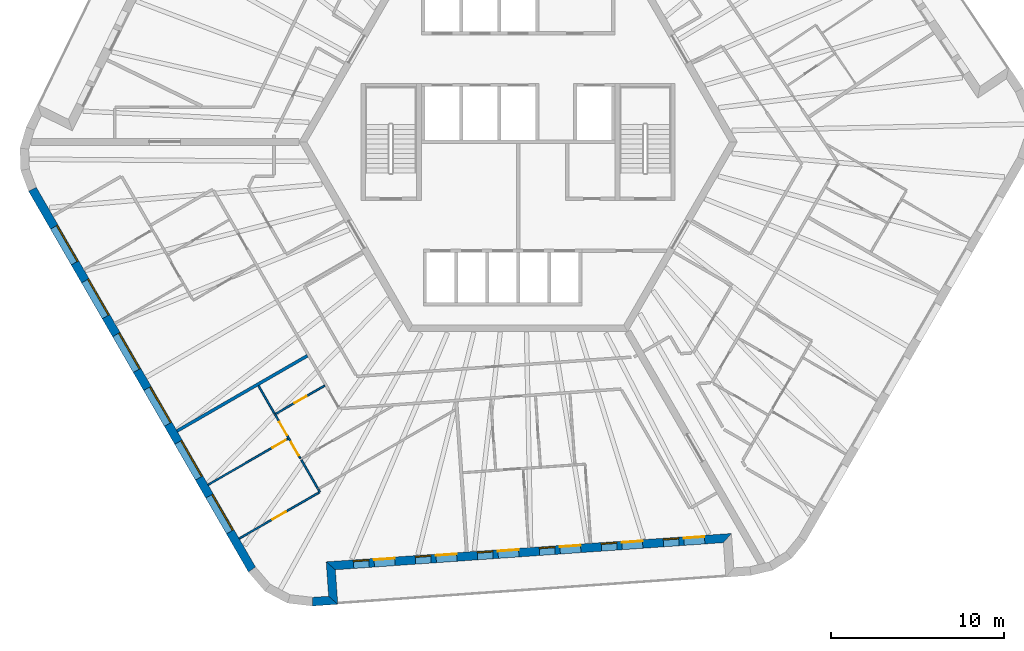
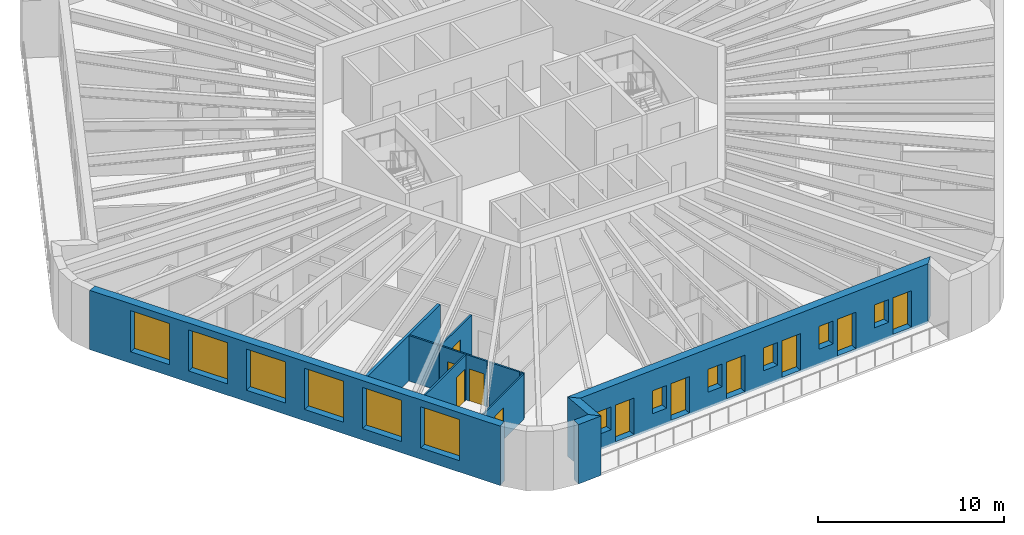
# One storey, part 3 of 12: 12 walls, 12 windows, 11 doors, 23 openings.
"""IFC4 building model written with IfcOpenShell, lengths in metres."""

from ifc_helpers import new_model, si_unit, direction, frame, frame_2d, origin, place, context, subcontext, project, spatial, polyline, rectangle, outline, extrude, material, layer, layer_set, type_object, element, fill, save


model = new_model("IFC4")

# Units and contexts
model_context = context("Model", 3, precision=1e-05, world=origin(), true_north=direction((0.0, 1.0)))
body_context = subcontext(model_context, "Body", "Model", "MODEL_VIEW")
ifc_project = project(units=[si_unit("LENGTHUNIT", "METRE"), si_unit("AREAUNIT", "SQUARE_METRE"), si_unit("VOLUMEUNIT", "CUBIC_METRE"), si_unit("PLANEANGLEUNIT", "RADIAN"), si_unit("MASSUNIT", "GRAM", prefix="KILO")], contexts=[model_context])

# Site, building, storey
site_placement = place(None, origin())
site = spatial("IfcSite", under=ifc_project, at=site_placement, CompositionType="ELEMENT")
building_placement = place(site_placement, origin())
building = spatial("IfcBuilding", under=site, at=building_placement, Name="Tarnside Tower", CompositionType="ELEMENT")
storey_placement = place(building_placement, frame((0.0, 0.0, 318.60009765625)))
storey = spatial("IfcBuildingStorey", under=building, at=storey_placement, Name="L77", CompositionType="ELEMENT", Elevation=318.60009765625)

# Wall, opening, door
ifc_material_1 = material(Name="Gypsum board partition on steel studs", Category="steel")
ifc_layer_1 = layer(ifc_material_1, 0.10009765625)
ifc_layer_set_1 = layer_set([ifc_layer_1], Name="Bathroom wall 100")
wall_type_1 = type_object("IfcWallType", Name="Bathroom wall 100", PredefinedType="PARTITIONING", material=ifc_layer_set_1)
wall_1_placement = place(storey_placement, frame((-11.215087890625, -14.124755859375, 0.0), z_axis=(0.0, 0.0, 1.0), x_axis=(-0.866020521143, -0.500008456887, 0.0)))
wall_1 = element("IfcWall", 1, at=wall_1_placement, inside=storey, type_object=wall_type_1, Name="Bathroom wall 25128", PredefinedType="PARTITIONING", context=body_context, shape_type="SweptSolid", body=[
    extrude(rectangle(XDim=3.3251953125, YDim=0.10009765625, at=frame_2d((1.66259765625, 0.0))), origin(), (0.0, 0.0, 1.0), 2.98779296875),
])
opening_1_placement = place(wall_1_placement, frame((1.22509765625, 0.0, 0.0)))
opening_1 = element("IfcOpeningElement", 2, at=opening_1_placement, cuts=wall_1, Name="Opening D-B1", PredefinedType="OPENING", context=body_context, shape_type="SweptSolid", body=[
    extrude(rectangle(XDim=0.800048828125, YDim=2.10009765625, at=frame_2d((0.39990234375, 1.050048828125))), frame((0.0, 0.06005859375, 0.0), z_axis=(0.0, -1.0, 0.0), x_axis=(1.0, 0.0, 0.0)), (0.0, 0.0, 1.0), 0.1201171875),
])
ifc_material_2 = material(Name="Timber door leaf", Category="wood")
door_type_1 = type_object("IfcDoorType", Name="Bathroom door 800", OperationType="NOTDEFINED", PredefinedType="DOOR", material=ifc_material_2)
door_1_placement = place(opening_1_placement, origin())
door_1 = element("IfcDoor", 3, at=door_1_placement, inside=storey, type_object=door_type_1, Name="Bathroom door 25030", OperationType="SINGLE_SWING_RIGHT", OverallHeight=2.10009765625, OverallWidth=0.800048828125, PredefinedType="DOOR", context=body_context, shape_type="SweptSolid", body=[
    extrude(rectangle(XDim=0.800048828125, YDim=2.10009765625, at=frame_2d((0.39990234375, 1.050048828125))), frame((0.0, 0.02490234375, 0.0), z_axis=(0.0, -1.0, 0.0), x_axis=(1.0, 0.0, 0.0)), (0.0, 0.0, 1.0), 0.050048828125),
])
fill(opening_1, door_1)

# Walls
wall_2_placement = place(storey_placement, frame((-15.0498046875, -14.133056640625, 0.0), z_axis=(0.0, 0.0, 1.0), x_axis=(0.500059143742, -0.865991254436, 0.0)))
element("IfcWall", 4, at=wall_2_placement, inside=storey, type_object=wall_type_1, Name="Bathroom wall 25132", PredefinedType="PARTITIONING", context=body_context, shape_type="SweptSolid", body=[
    extrude(rectangle(XDim=1.862060546875, YDim=0.10009765625, at=frame_2d((0.93115234375, 0.0))), origin(), (0.0, 0.0, 1.0), 2.98779296875),
])
wall_3_placement = place(storey_placement, frame((-11.61962890625, -20.073974609375, 0.0), z_axis=(0.0, 0.0, 1.0), x_axis=(-0.500119165741, 0.865956592479, 0.0)))
element("IfcWall", 5, at=wall_3_placement, inside=storey, type_object=wall_type_1, Name="Bathroom wall 25134", PredefinedType="PARTITIONING", context=body_context, shape_type="SweptSolid", body=[
    extrude(rectangle(XDim=1.89990234375, YDim=0.10009765625, at=frame_2d((0.949951171875, 0.0))), origin(), (0.0, 0.0, 1.0), 2.98779296875),
])
ifc_layer_2 = layer(ifc_material_1, 0.179931640625)
ifc_layer_set_2 = layer_set([ifc_layer_2], Name="Demising wall 180 EI 60")
wall_type_2 = type_object("IfcWallType", Name="Demising wall 180 EI 60", PredefinedType="PARTITIONING", material=ifc_layer_set_2)
wall_4_placement = place(storey_placement, frame((-19.771240234375, -16.755126953125, 0.0), z_axis=(0.0, 0.0, 1.0), x_axis=(0.866025292695, 0.500000192413, 0.0)))
element("IfcWall", 6, at=wall_4_placement, inside=storey, type_object=wall_type_2, Name="Demising wall 25116", PredefinedType="PARTITIONING", context=body_context, shape_type="SweptSolid", body=[
    extrude(rectangle(XDim=8.72509765625, YDim=0.179931640625, at=frame_2d((4.362548828125, 0.0))), origin(), (0.0, 0.0, 1.0), 2.98779296875),
])
ifc_material_3 = material(Name="Dark zinc cladding")
ifc_layer_3 = layer(ifc_material_3, 0.10205078125)
ifc_material_4 = material(Name="Concrete C60/75 precast", Category="concrete")
ifc_layer_4 = layer(ifc_material_4, 0.298095703125)
ifc_material_5 = material(Name="Mineral wool insulation")
ifc_layer_5 = layer(ifc_material_5, 0.10009765625)
ifc_layer_set_3 = layer_set([ifc_layer_3, ifc_layer_4, ifc_layer_5], Name="Loggia wall 500 zinc faced")
wall_type_3 = type_object("IfcWallType", Name="Loggia wall 500 zinc faced", PredefinedType="SOLIDWALL", material=ifc_layer_set_3)
wall_5_placement = place(storey_placement, frame((-11.91748046875, -26.646240234375, -0.150146484375), z_axis=(0.0, 0.0, 1.0), x_axis=(0.997562933087, 0.069772448216, 0.0)))
element("IfcWall", 7, at=wall_5_placement, inside=storey, type_object=wall_type_3, Name="Tube wall L77 F4 stub 16", PredefinedType="SOLIDWALL", context=body_context, shape_type="SweptSolid", body=[
    extrude(outline(polyline([(-0.0234375, -0.25), (1.4501953125, -0.25), (0.9501953125, 0.25), (0.0234375, 0.25), (-0.0234375, -0.25)])), origin(), (0.0, 0.0, 1.0), 3.900146484375),
])
wall_6_placement = place(storey_placement, frame((-10.72021484375, -26.5625, -0.150146484375), z_axis=(0.0, 0.0, 1.0), x_axis=(-0.069824268692, 0.99755930726, 0.0)))
element("IfcWall", 8, at=wall_6_placement, inside=storey, type_object=wall_type_3, Name="Tube wall L77 F4 return 17", PredefinedType="SOLIDWALL", context=body_context, shape_type="SweptSolid", body=[
    extrude(outline(polyline([(-0.25, -0.25), (1.75, -0.25), (2.25, 0.25), (0.25, 0.25), (-0.25, -0.25)])), origin(), (0.0, 0.0, 1.0), 3.900146484375),
])

# Wall, openings, doors, windows
wall_7_placement = place(storey_placement, frame((-10.85986328125, -24.5673828125, -0.150146484375), z_axis=(0.0, 0.0, 1.0), x_axis=(0.997564329317, 0.06975248292, 0.0)))
wall_7 = element("IfcWall", 9, at=wall_7_placement, inside=storey, type_object=wall_type_3, Name="Tube wall L77 F4 back 18", PredefinedType="SOLIDWALL", context=body_context, shape_type="SweptSolid", body=[
    extrude(outline(polyline([(0.25, -0.25), (22.794677734375, -0.25), (23.294677734375, 0.25), (-0.25, 0.25), (0.25, -0.25)])), origin(), (0.0, 0.0, 1.0), 3.900146484375),
])
opening_2_placement = place(wall_7_placement, frame((1.322509765625, 0.0, 1.050048828125)))
opening_2 = element("IfcOpeningElement", 10, at=opening_2_placement, cuts=wall_7, Name="Opening WL500", PredefinedType="OPENING", context=body_context, shape_type="SweptSolid", body=[
    extrude(rectangle(XDim=0.89990234375, YDim=1.5, at=frame_2d((0.449951171875, 0.75))), frame((0.0, 0.260009765625, 0.0), z_axis=(0.0, -1.0, 0.0), x_axis=(1.0, 0.0, 0.0)), (0.0, 0.0, 1.0), 0.52001953125),
])
opening_3_placement = place(wall_7_placement, frame((2.5224609375, 0.0, 0.14990234375)))
opening_3 = element("IfcOpeningElement", 11, at=opening_3_placement, cuts=wall_7, Name="Opening DB500", PredefinedType="OPENING", context=body_context, shape_type="SweptSolid", body=[
    extrude(rectangle(XDim=1.199951171875, YDim=2.39990234375, at=frame_2d((0.60009765625, 1.199951171875))), frame((0.0, 0.260009765625, 0.0), z_axis=(0.0, -1.0, 0.0), x_axis=(1.0, 0.0, 0.0)), (0.0, 0.0, 1.0), 0.52001953125),
])
opening_4_placement = place(wall_7_placement, frame((4.92236328125, 0.0, 1.050048828125)))
opening_4 = element("IfcOpeningElement", 12, at=opening_4_placement, cuts=wall_7, Name="Opening WL500", PredefinedType="OPENING", context=body_context, shape_type="SweptSolid", body=[
    extrude(rectangle(XDim=0.89990234375, YDim=1.5, at=frame_2d((0.449951171875, 0.75))), frame((0.0, 0.260009765625, 0.0), z_axis=(0.0, -1.0, 0.0), x_axis=(1.0, 0.0, 0.0)), (0.0, 0.0, 1.0), 0.52001953125),
])
opening_5_placement = place(wall_7_placement, frame((6.122314453125, 0.0, 0.14990234375)))
opening_5 = element("IfcOpeningElement", 13, at=opening_5_placement, cuts=wall_7, Name="Opening DB500", PredefinedType="OPENING", context=body_context, shape_type="SweptSolid", body=[
    extrude(rectangle(XDim=1.199951171875, YDim=2.39990234375, at=frame_2d((0.60009765625, 1.199951171875))), frame((0.0, 0.260009765625, 0.0), z_axis=(0.0, -1.0, 0.0), x_axis=(1.0, 0.0, 0.0)), (0.0, 0.0, 1.0), 0.52001953125),
])
opening_6_placement = place(wall_7_placement, frame((8.5224609375, 0.0, 1.050048828125)))
opening_6 = element("IfcOpeningElement", 14, at=opening_6_placement, cuts=wall_7, Name="Opening WL500", PredefinedType="OPENING", context=body_context, shape_type="SweptSolid", body=[
    extrude(rectangle(XDim=0.89990234375, YDim=1.5, at=frame_2d((0.449951171875, 0.75))), frame((0.0, 0.260009765625, 0.0), z_axis=(0.0, -1.0, 0.0), x_axis=(1.0, 0.0, 0.0)), (0.0, 0.0, 1.0), 0.52001953125),
])
opening_7_placement = place(wall_7_placement, frame((9.722412109375, 0.0, 0.14990234375)))
opening_7 = element("IfcOpeningElement", 15, at=opening_7_placement, cuts=wall_7, Name="Opening DB500", PredefinedType="OPENING", context=body_context, shape_type="SweptSolid", body=[
    extrude(rectangle(XDim=1.199951171875, YDim=2.39990234375, at=frame_2d((0.60009765625, 1.199951171875))), frame((0.0, 0.260009765625, 0.0), z_axis=(0.0, -1.0, 0.0), x_axis=(1.0, 0.0, 0.0)), (0.0, 0.0, 1.0), 0.52001953125),
])
opening_8_placement = place(wall_7_placement, frame((12.122314453125, 0.0, 1.050048828125)))
opening_8 = element("IfcOpeningElement", 16, at=opening_8_placement, cuts=wall_7, Name="Opening WL500", PredefinedType="OPENING", context=body_context, shape_type="SweptSolid", body=[
    extrude(rectangle(XDim=0.89990234375, YDim=1.5, at=frame_2d((0.449951171875, 0.75))), frame((0.0, 0.260009765625, 0.0), z_axis=(0.0, -1.0, 0.0), x_axis=(1.0, 0.0, 0.0)), (0.0, 0.0, 1.0), 0.52001953125),
])
opening_9_placement = place(wall_7_placement, frame((13.322509765625, 0.0, 0.14990234375)))
opening_9 = element("IfcOpeningElement", 17, at=opening_9_placement, cuts=wall_7, Name="Opening DB500", PredefinedType="OPENING", context=body_context, shape_type="SweptSolid", body=[
    extrude(rectangle(XDim=1.199951171875, YDim=2.39990234375, at=frame_2d((0.60009765625, 1.199951171875))), frame((0.0, 0.260009765625, 0.0), z_axis=(0.0, -1.0, 0.0), x_axis=(1.0, 0.0, 0.0)), (0.0, 0.0, 1.0), 0.52001953125),
])
opening_10_placement = place(wall_7_placement, frame((15.722412109375, 0.0, 1.050048828125)))
opening_10 = element("IfcOpeningElement", 18, at=opening_10_placement, cuts=wall_7, Name="Opening WL500", PredefinedType="OPENING", context=body_context, shape_type="SweptSolid", body=[
    extrude(rectangle(XDim=0.89990234375, YDim=1.5, at=frame_2d((0.449951171875, 0.75))), frame((0.0, 0.260009765625, 0.0), z_axis=(0.0, -1.0, 0.0), x_axis=(1.0, 0.0, 0.0)), (0.0, 0.0, 1.0), 0.52001953125),
])
opening_11_placement = place(wall_7_placement, frame((16.92236328125, 0.0, 0.14990234375)))
opening_11 = element("IfcOpeningElement", 19, at=opening_11_placement, cuts=wall_7, Name="Opening DB500", PredefinedType="OPENING", context=body_context, shape_type="SweptSolid", body=[
    extrude(rectangle(XDim=1.199951171875, YDim=2.39990234375, at=frame_2d((0.60009765625, 1.199951171875))), frame((0.0, 0.260009765625, 0.0), z_axis=(0.0, -1.0, 0.0), x_axis=(1.0, 0.0, 0.0)), (0.0, 0.0, 1.0), 0.52001953125),
])
opening_12_placement = place(wall_7_placement, frame((19.322509765625, 0.0, 1.050048828125)))
opening_12 = element("IfcOpeningElement", 20, at=opening_12_placement, cuts=wall_7, Name="Opening WL500", PredefinedType="OPENING", context=body_context, shape_type="SweptSolid", body=[
    extrude(rectangle(XDim=0.89990234375, YDim=1.5, at=frame_2d((0.449951171875, 0.75))), frame((0.0, 0.260009765625, 0.0), z_axis=(0.0, -1.0, 0.0), x_axis=(1.0, 0.0, 0.0)), (0.0, 0.0, 1.0), 0.52001953125),
])
opening_13_placement = place(wall_7_placement, frame((20.5224609375, 0.0, 0.14990234375)))
opening_13 = element("IfcOpeningElement", 21, at=opening_13_placement, cuts=wall_7, Name="Opening DB500", PredefinedType="OPENING", context=body_context, shape_type="SweptSolid", body=[
    extrude(rectangle(XDim=1.199951171875, YDim=2.39990234375, at=frame_2d((0.60009765625, 1.199951171875))), frame((0.0, 0.260009765625, 0.0), z_axis=(0.0, -1.0, 0.0), x_axis=(1.0, 0.0, 0.0)), (0.0, 0.0, 1.0), 0.52001953125),
])
ifc_material_6 = material(Name="Aluminium-framed double glazing", Category="aluminium")
door_type_2 = type_object("IfcDoorType", Name="Balcony sliding door 1200 x 2400 in 500 wall", OperationType="SLIDING_TO_LEFT", PredefinedType="DOOR", material=ifc_material_6)
door_2_placement = place(opening_3_placement, frame((0.0, 0.1748046875, 0.0)))
door_2 = element("IfcDoor", 22, at=door_2_placement, inside=storey, type_object=door_type_2, Name="E.BD.L77.F4.00", OperationType="SLIDING_TO_LEFT", OverallHeight=2.39990234375, OverallWidth=1.199951171875, PredefinedType="DOOR", context=body_context, shape_type="SweptSolid", body=[
    extrude(rectangle(XDim=1.199951171875, YDim=2.39990234375, at=frame_2d((0.60009765625, 1.199951171875))), frame((0.0, 0.02490234375, 0.0), z_axis=(0.0, -1.0, 0.0), x_axis=(1.0, 0.0, 0.0)), (0.0, 0.0, 1.0), 0.050048828125),
])
fill(opening_3, door_2)
door_3_placement = place(opening_5_placement, frame((0.0, 0.1748046875, 0.0)))
door_3 = element("IfcDoor", 23, at=door_3_placement, inside=storey, type_object=door_type_2, Name="E.BD.L77.F4.01", OperationType="SLIDING_TO_LEFT", OverallHeight=2.39990234375, OverallWidth=1.199951171875, PredefinedType="DOOR", context=body_context, shape_type="SweptSolid", body=[
    extrude(rectangle(XDim=1.199951171875, YDim=2.39990234375, at=frame_2d((0.60009765625, 1.199951171875))), frame((0.0, 0.02490234375, 0.0), z_axis=(0.0, -1.0, 0.0), x_axis=(1.0, 0.0, 0.0)), (0.0, 0.0, 1.0), 0.050048828125),
])
fill(opening_5, door_3)
door_4_placement = place(opening_7_placement, frame((0.0, 0.1748046875, 0.0)))
door_4 = element("IfcDoor", 24, at=door_4_placement, inside=storey, type_object=door_type_2, Name="E.BD.L77.F4.02", OperationType="SLIDING_TO_LEFT", OverallHeight=2.39990234375, OverallWidth=1.199951171875, PredefinedType="DOOR", context=body_context, shape_type="SweptSolid", body=[
    extrude(rectangle(XDim=1.199951171875, YDim=2.39990234375, at=frame_2d((0.60009765625, 1.199951171875))), frame((0.0, 0.02490234375, 0.0), z_axis=(0.0, -1.0, 0.0), x_axis=(1.0, 0.0, 0.0)), (0.0, 0.0, 1.0), 0.050048828125),
])
fill(opening_7, door_4)
door_5_placement = place(opening_9_placement, frame((0.0, 0.1748046875, 0.0)))
door_5 = element("IfcDoor", 25, at=door_5_placement, inside=storey, type_object=door_type_2, Name="E.BD.L77.F4.03", OperationType="SLIDING_TO_LEFT", OverallHeight=2.39990234375, OverallWidth=1.199951171875, PredefinedType="DOOR", context=body_context, shape_type="SweptSolid", body=[
    extrude(rectangle(XDim=1.199951171875, YDim=2.39990234375, at=frame_2d((0.60009765625, 1.199951171875))), frame((0.0, 0.02490234375, 0.0), z_axis=(0.0, -1.0, 0.0), x_axis=(1.0, 0.0, 0.0)), (0.0, 0.0, 1.0), 0.050048828125),
])
fill(opening_9, door_5)
door_6_placement = place(opening_11_placement, frame((0.0, 0.1748046875, 0.0)))
door_6 = element("IfcDoor", 26, at=door_6_placement, inside=storey, type_object=door_type_2, Name="E.BD.L77.F4.04", OperationType="SLIDING_TO_LEFT", OverallHeight=2.39990234375, OverallWidth=1.199951171875, PredefinedType="DOOR", context=body_context, shape_type="SweptSolid", body=[
    extrude(rectangle(XDim=1.199951171875, YDim=2.39990234375, at=frame_2d((0.60009765625, 1.199951171875))), frame((0.0, 0.02490234375, 0.0), z_axis=(0.0, -1.0, 0.0), x_axis=(1.0, 0.0, 0.0)), (0.0, 0.0, 1.0), 0.050048828125),
])
fill(opening_11, door_6)
door_7_placement = place(opening_13_placement, frame((0.0, 0.1748046875, 0.0)))
door_7 = element("IfcDoor", 27, at=door_7_placement, inside=storey, type_object=door_type_2, Name="E.BD.L77.F4.05", OperationType="SLIDING_TO_LEFT", OverallHeight=2.39990234375, OverallWidth=1.199951171875, PredefinedType="DOOR", context=body_context, shape_type="SweptSolid", body=[
    extrude(rectangle(XDim=1.199951171875, YDim=2.39990234375, at=frame_2d((0.60009765625, 1.199951171875))), frame((0.0, 0.02490234375, 0.0), z_axis=(0.0, -1.0, 0.0), x_axis=(1.0, 0.0, 0.0)), (0.0, 0.0, 1.0), 0.050048828125),
])
fill(opening_13, door_7)
window_type_1 = type_object("IfcWindowType", Name="Loggia window 900 x 1500 in 500 wall", PartitioningType="SINGLE_PANEL", PredefinedType="WINDOW", material=ifc_material_6)
window_1_placement = place(opening_2_placement, frame((0.0, 0.179931640625, 0.0)))
window_1 = element("IfcWindow", 28, at=window_1_placement, inside=storey, type_object=window_type_1, Name="E.LW.L77.F4.00", OverallHeight=1.5, OverallWidth=0.89990234375, PartitioningType="SINGLE_PANEL", PredefinedType="WINDOW", context=body_context, shape_type="SweptSolid", body=[
    extrude(rectangle(XDim=0.89990234375, YDim=1.5, at=frame_2d((0.449951171875, 0.75))), frame((0.0, 0.030029296875, 0.0), z_axis=(0.0, -1.0, 0.0), x_axis=(1.0, 0.0, 0.0)), (0.0, 0.0, 1.0), 0.06005859375),
])
fill(opening_2, window_1)
window_2_placement = place(opening_4_placement, frame((0.0, 0.179931640625, 0.0)))
window_2 = element("IfcWindow", 29, at=window_2_placement, inside=storey, type_object=window_type_1, Name="E.LW.L77.F4.01", OverallHeight=1.5, OverallWidth=0.89990234375, PartitioningType="SINGLE_PANEL", PredefinedType="WINDOW", context=body_context, shape_type="SweptSolid", body=[
    extrude(rectangle(XDim=0.89990234375, YDim=1.5, at=frame_2d((0.449951171875, 0.75))), frame((0.0, 0.030029296875, 0.0), z_axis=(0.0, -1.0, 0.0), x_axis=(1.0, 0.0, 0.0)), (0.0, 0.0, 1.0), 0.06005859375),
])
fill(opening_4, window_2)
window_3_placement = place(opening_6_placement, frame((0.0, 0.179931640625, 0.0)))
window_3 = element("IfcWindow", 30, at=window_3_placement, inside=storey, type_object=window_type_1, Name="E.LW.L77.F4.02", OverallHeight=1.5, OverallWidth=0.89990234375, PartitioningType="SINGLE_PANEL", PredefinedType="WINDOW", context=body_context, shape_type="SweptSolid", body=[
    extrude(rectangle(XDim=0.89990234375, YDim=1.5, at=frame_2d((0.449951171875, 0.75))), frame((0.0, 0.030029296875, 0.0), z_axis=(0.0, -1.0, 0.0), x_axis=(1.0, 0.0, 0.0)), (0.0, 0.0, 1.0), 0.06005859375),
])
fill(opening_6, window_3)
window_4_placement = place(opening_8_placement, frame((0.0, 0.179931640625, 0.0)))
window_4 = element("IfcWindow", 31, at=window_4_placement, inside=storey, type_object=window_type_1, Name="E.LW.L77.F4.03", OverallHeight=1.5, OverallWidth=0.89990234375, PartitioningType="SINGLE_PANEL", PredefinedType="WINDOW", context=body_context, shape_type="SweptSolid", body=[
    extrude(rectangle(XDim=0.89990234375, YDim=1.5, at=frame_2d((0.449951171875, 0.75))), frame((0.0, 0.030029296875, 0.0), z_axis=(0.0, -1.0, 0.0), x_axis=(1.0, 0.0, 0.0)), (0.0, 0.0, 1.0), 0.06005859375),
])
fill(opening_8, window_4)
window_5_placement = place(opening_10_placement, frame((0.0, 0.179931640625, 0.0)))
window_5 = element("IfcWindow", 32, at=window_5_placement, inside=storey, type_object=window_type_1, Name="E.LW.L77.F4.04", OverallHeight=1.5, OverallWidth=0.89990234375, PartitioningType="SINGLE_PANEL", PredefinedType="WINDOW", context=body_context, shape_type="SweptSolid", body=[
    extrude(rectangle(XDim=0.89990234375, YDim=1.5, at=frame_2d((0.449951171875, 0.75))), frame((0.0, 0.030029296875, 0.0), z_axis=(0.0, -1.0, 0.0), x_axis=(1.0, 0.0, 0.0)), (0.0, 0.0, 1.0), 0.06005859375),
])
fill(opening_10, window_5)
window_6_placement = place(opening_12_placement, frame((0.0, 0.179931640625, 0.0)))
window_6 = element("IfcWindow", 33, at=window_6_placement, inside=storey, type_object=window_type_1, Name="E.LW.L77.F4.05", OverallHeight=1.5, OverallWidth=0.89990234375, PartitioningType="SINGLE_PANEL", PredefinedType="WINDOW", context=body_context, shape_type="SweptSolid", body=[
    extrude(rectangle(XDim=0.89990234375, YDim=1.5, at=frame_2d((0.449951171875, 0.75))), frame((0.0, 0.030029296875, 0.0), z_axis=(0.0, -1.0, 0.0), x_axis=(1.0, 0.0, 0.0)), (0.0, 0.0, 1.0), 0.06005859375),
])
fill(opening_12, window_6)

# Wall
ifc_layer_6 = layer(ifc_material_1, 0.10009765625)
ifc_layer_set_4 = layer_set([ifc_layer_6], Name="Partition 100")
wall_type_4 = type_object("IfcWallType", Name="Partition 100", PredefinedType="PARTITIONING", material=ifc_layer_set_4)
wall_8_placement = place(storey_placement, frame((-11.595703125, -20.11572265625, 0.0), z_axis=(0.0, 0.0, 1.0), x_axis=(0.500559585819, -0.865702085619, 0.0)))
element("IfcWall", 34, at=wall_8_placement, inside=storey, type_object=wall_type_4, Name="Partition wall 25123", PredefinedType="PARTITIONING", context=body_context, shape_type="SweptSolid", body=[
    extrude(rectangle(XDim=0.201904296875, YDim=0.10009765625, at=frame_2d((0.10107421875, 0.0))), origin(), (0.0, 0.0, 1.0), 2.98779296875),
])

# Wall, opening, door
wall_9_placement = place(storey_placement, frame((-11.5380859375, -20.315673828125, 0.0), z_axis=(0.0, 0.0, 1.0), x_axis=(-0.866032834954, -0.499987128616, 0.0)))
wall_9 = element("IfcWall", 35, at=wall_9_placement, inside=storey, type_object=wall_type_4, Name="Partition wall 25124", PredefinedType="PARTITIONING", context=body_context, shape_type="SweptSolid", body=[
    extrude(rectangle(XDim=5.349853515625, YDim=0.10009765625, at=frame_2d((2.6748046875, 0.0))), origin(), (0.0, 0.0, 1.0), 2.98779296875),
])
opening_14_placement = place(wall_9_placement, frame((2.22509765625, 0.0, 0.0)))
opening_14 = element("IfcOpeningElement", 36, at=opening_14_placement, cuts=wall_9, Name="Opening D-I1", PredefinedType="OPENING", context=body_context, shape_type="SweptSolid", body=[
    extrude(rectangle(XDim=0.89990234375, YDim=2.10009765625, at=frame_2d((0.449951171875, 1.050048828125))), frame((0.0, 0.06005859375, 0.0), z_axis=(0.0, -1.0, 0.0), x_axis=(1.0, 0.0, 0.0)), (0.0, 0.0, 1.0), 0.1201171875),
])
door_type_3 = type_object("IfcDoorType", Name="Internal door 900", OperationType="NOTDEFINED", PredefinedType="DOOR", material=ifc_material_2)
door_8_placement = place(opening_14_placement, origin())
door_8 = element("IfcDoor", 37, at=door_8_placement, inside=storey, type_object=door_type_3, Name="Internal door 25069", OperationType="SINGLE_SWING_RIGHT", OverallHeight=2.10009765625, OverallWidth=0.89990234375, PredefinedType="DOOR", context=body_context, shape_type="SweptSolid", body=[
    extrude(rectangle(XDim=0.89990234375, YDim=2.10009765625, at=frame_2d((0.449951171875, 1.050048828125))), frame((0.0, 0.02490234375, 0.0), z_axis=(0.0, -1.0, 0.0), x_axis=(1.0, 0.0, 0.0)), (0.0, 0.0, 1.0), 0.050048828125),
])
fill(opening_14, door_8)

# Wall, openings, doors
wall_10_placement = place(storey_placement, frame((-14.095703125, -15.785400390625, 0.0), z_axis=(0.0, 0.0, 1.0), x_axis=(0.49999668571, -0.866027317282, 0.0)))
wall_10 = element("IfcWall", 38, at=wall_10_placement, inside=storey, type_object=wall_type_4, Name="Partition wall 25129", PredefinedType="PARTITIONING", context=body_context, shape_type="SweptSolid", body=[
    extrude(rectangle(XDim=2.9541015625, YDim=0.10009765625, at=frame_2d((1.47705078125, 0.0))), origin(), (0.0, 0.0, 1.0), 2.98779296875),
])
opening_15_placement = place(wall_10_placement, frame((0.501953125, 0.0, 0.0)))
opening_15 = element("IfcOpeningElement", 39, at=opening_15_placement, cuts=wall_10, Name="Opening D-I1", PredefinedType="OPENING", context=body_context, shape_type="SweptSolid", body=[
    extrude(rectangle(XDim=0.89990234375, YDim=2.10009765625, at=frame_2d((0.449951171875, 1.050048828125))), frame((0.0, 0.06005859375, 0.0), z_axis=(0.0, -1.0, 0.0), x_axis=(1.0, 0.0, 0.0)), (0.0, 0.0, 1.0), 0.1201171875),
])
opening_16_placement = place(wall_10_placement, frame((1.85205078125, 0.0, 0.0)))
opening_16 = element("IfcOpeningElement", 40, at=opening_16_placement, cuts=wall_10, Name="Opening D-I1", PredefinedType="OPENING", context=body_context, shape_type="SweptSolid", body=[
    extrude(rectangle(XDim=0.89990234375, YDim=2.10009765625, at=frame_2d((0.449951171875, 1.050048828125))), frame((0.0, 0.06005859375, 0.0), z_axis=(0.0, -1.0, 0.0), x_axis=(1.0, 0.0, 0.0)), (0.0, 0.0, 1.0), 0.1201171875),
])
door_9_placement = place(opening_15_placement, origin())
door_9 = element("IfcDoor", 41, at=door_9_placement, inside=storey, type_object=door_type_3, Name="Internal door 25032", OperationType="SINGLE_SWING_LEFT", OverallHeight=2.10009765625, OverallWidth=0.89990234375, PredefinedType="DOOR", context=body_context, shape_type="SweptSolid", body=[
    extrude(rectangle(XDim=0.89990234375, YDim=2.10009765625, at=frame_2d((0.449951171875, 1.050048828125))), frame((0.0, 0.02490234375, 0.0), z_axis=(0.0, -1.0, 0.0), x_axis=(1.0, 0.0, 0.0)), (0.0, 0.0, 1.0), 0.050048828125),
])
fill(opening_15, door_9)
door_10_placement = place(opening_16_placement, origin())
door_10 = element("IfcDoor", 42, at=door_10_placement, inside=storey, type_object=door_type_3, Name="Internal door 25036", OperationType="SINGLE_SWING_RIGHT", OverallHeight=2.10009765625, OverallWidth=0.89990234375, PredefinedType="DOOR", context=body_context, shape_type="SweptSolid", body=[
    extrude(rectangle(XDim=0.89990234375, YDim=2.10009765625, at=frame_2d((0.449951171875, 1.050048828125))), frame((0.0, 0.02490234375, 0.0), z_axis=(0.0, -1.0, 0.0), x_axis=(1.0, 0.0, 0.0)), (0.0, 0.0, 1.0), 0.050048828125),
])
fill(opening_16, door_10)

# Wall, opening, door
wall_11_placement = place(storey_placement, frame((-17.97119140625, -19.872802734375, 0.0), z_axis=(0.0, 0.0, 1.0), x_axis=(0.866032834954, 0.499987128616, 0.0)))
wall_11 = element("IfcWall", 43, at=wall_11_placement, inside=storey, type_object=wall_type_4, Name="Partition wall 25133", PredefinedType="PARTITIONING", context=body_context, shape_type="SweptSolid", body=[
    extrude(rectangle(XDim=5.349853515625, YDim=0.10009765625, at=frame_2d((2.6748046875, 0.0))), origin(), (0.0, 0.0, 1.0), 2.98779296875),
])
opening_17_placement = place(wall_11_placement, frame((4.300048828125, 0.0, 0.0)))
opening_17 = element("IfcOpeningElement", 44, at=opening_17_placement, cuts=wall_11, Name="Opening D-I1", PredefinedType="OPENING", context=body_context, shape_type="SweptSolid", body=[
    extrude(rectangle(XDim=0.89990234375, YDim=2.10009765625, at=frame_2d((0.449951171875, 1.050048828125))), frame((0.0, 0.06005859375, 0.0), z_axis=(0.0, -1.0, 0.0), x_axis=(1.0, 0.0, 0.0)), (0.0, 0.0, 1.0), 0.1201171875),
])
door_11_placement = place(opening_17_placement, origin())
door_11 = element("IfcDoor", 45, at=door_11_placement, inside=storey, type_object=door_type_3, Name="Internal door 25035", OperationType="SINGLE_SWING_RIGHT", OverallHeight=2.10009765625, OverallWidth=0.89990234375, PredefinedType="DOOR", context=body_context, shape_type="SweptSolid", body=[
    extrude(rectangle(XDim=0.89990234375, YDim=2.10009765625, at=frame_2d((0.449951171875, 1.050048828125))), frame((0.0, 0.02490234375, 0.0), z_axis=(0.0, -1.0, 0.0), x_axis=(1.0, 0.0, 0.0)), (0.0, 0.0, 1.0), 0.050048828125),
])
fill(opening_17, door_11)

# Wall, openings, windows
ifc_material_7 = material(Name="Facing brick", Category="masonry")
ifc_layer_7 = layer(ifc_material_7, 0.10205078125)
ifc_layer_8 = layer(ifc_material_4, 0.298095703125)
ifc_layer_9 = layer(ifc_material_5, 0.10009765625)
ifc_layer_set_5 = layer_set([ifc_layer_7, ifc_layer_8, ifc_layer_9], Name="Tube wall 500 brick faced")
wall_type_5 = type_object("IfcWallType", Name="Tube wall 500 brick faced", PredefinedType="SOLIDWALL", material=ifc_layer_set_5)
wall_12_placement = place(storey_placement, frame((-28.14892578125, -2.74462890625, -0.150146484375), z_axis=(0.0, 0.0, 1.0), x_axis=(0.500003737743, -0.866023245787, 0.0)))
wall_12 = element("IfcWall", 46, at=wall_12_placement, inside=storey, type_object=wall_type_5, Name="Tube wall L77 F3 flush 12", PredefinedType="SOLIDWALL", context=body_context, shape_type="SweptSolid", body=[
    extrude(outline(polyline([(-0.0205078125, -0.25), (25.468017578125, -0.25), (25.421142578125, 0.25), (0.0205078125, 0.25), (-0.0205078125, -0.25)])), origin(), (0.0, 0.0, 1.0), 3.900146484375),
])
opening_18_placement = place(wall_12_placement, frame((2.5224609375, 0.0, 0.75)))
opening_18 = element("IfcOpeningElement", 47, at=opening_18_placement, cuts=wall_12, Name="Opening WR", PredefinedType="OPENING", context=body_context, shape_type="SweptSolid", body=[
    extrude(rectangle(XDim=2.39990234375, YDim=2.699951171875, at=frame_2d((1.199951171875, 1.35009765625))), frame((0.0, 0.260009765625, 0.0), z_axis=(0.0, -1.0, 0.0), x_axis=(1.0, 0.0, 0.0)), (0.0, 0.0, 1.0), 0.52001953125),
])
opening_19_placement = place(wall_12_placement, frame((6.122314453125, 0.0, 0.75)))
opening_19 = element("IfcOpeningElement", 48, at=opening_19_placement, cuts=wall_12, Name="Opening WR", PredefinedType="OPENING", context=body_context, shape_type="SweptSolid", body=[
    extrude(rectangle(XDim=2.39990234375, YDim=2.699951171875, at=frame_2d((1.199951171875, 1.35009765625))), frame((0.0, 0.260009765625, 0.0), z_axis=(0.0, -1.0, 0.0), x_axis=(1.0, 0.0, 0.0)), (0.0, 0.0, 1.0), 0.52001953125),
])
opening_20_placement = place(wall_12_placement, frame((9.722412109375, 0.0, 0.75)))
opening_20 = element("IfcOpeningElement", 49, at=opening_20_placement, cuts=wall_12, Name="Opening WR", PredefinedType="OPENING", context=body_context, shape_type="SweptSolid", body=[
    extrude(rectangle(XDim=2.39990234375, YDim=2.699951171875, at=frame_2d((1.199951171875, 1.35009765625))), frame((0.0, 0.260009765625, 0.0), z_axis=(0.0, -1.0, 0.0), x_axis=(1.0, 0.0, 0.0)), (0.0, 0.0, 1.0), 0.52001953125),
])
opening_21_placement = place(wall_12_placement, frame((13.322509765625, 0.0, 0.75)))
opening_21 = element("IfcOpeningElement", 50, at=opening_21_placement, cuts=wall_12, Name="Opening WR", PredefinedType="OPENING", context=body_context, shape_type="SweptSolid", body=[
    extrude(rectangle(XDim=2.39990234375, YDim=2.699951171875, at=frame_2d((1.199951171875, 1.35009765625))), frame((0.0, 0.260009765625, 0.0), z_axis=(0.0, -1.0, 0.0), x_axis=(1.0, 0.0, 0.0)), (0.0, 0.0, 1.0), 0.52001953125),
])
opening_22_placement = place(wall_12_placement, frame((16.92236328125, 0.0, 0.75)))
opening_22 = element("IfcOpeningElement", 51, at=opening_22_placement, cuts=wall_12, Name="Opening WR", PredefinedType="OPENING", context=body_context, shape_type="SweptSolid", body=[
    extrude(rectangle(XDim=2.39990234375, YDim=2.699951171875, at=frame_2d((1.199951171875, 1.35009765625))), frame((0.0, 0.260009765625, 0.0), z_axis=(0.0, -1.0, 0.0), x_axis=(1.0, 0.0, 0.0)), (0.0, 0.0, 1.0), 0.52001953125),
])
opening_23_placement = place(wall_12_placement, frame((20.5224609375, 0.0, 0.75)))
opening_23 = element("IfcOpeningElement", 52, at=opening_23_placement, cuts=wall_12, Name="Opening WR", PredefinedType="OPENING", context=body_context, shape_type="SweptSolid", body=[
    extrude(rectangle(XDim=2.39990234375, YDim=2.699951171875, at=frame_2d((1.199951171875, 1.35009765625))), frame((0.0, 0.260009765625, 0.0), z_axis=(0.0, -1.0, 0.0), x_axis=(1.0, 0.0, 0.0)), (0.0, 0.0, 1.0), 0.52001953125),
])
window_type_2 = type_object("IfcWindowType", Name="Residence window 2400 x 2700", PartitioningType="DOUBLE_PANEL_VERTICAL", PredefinedType="WINDOW", material=ifc_material_6)
window_7_placement = place(opening_18_placement, frame((0.0, 0.179931640625, 0.0)))
window_7 = element("IfcWindow", 53, at=window_7_placement, inside=storey, type_object=window_type_2, Name="E.WN.L77.F3.00", OverallHeight=2.699951171875, OverallWidth=2.39990234375, PartitioningType="DOUBLE_PANEL_VERTICAL", PredefinedType="WINDOW", context=body_context, shape_type="SweptSolid", body=[
    extrude(rectangle(XDim=2.39990234375, YDim=2.699951171875, at=frame_2d((1.199951171875, 1.35009765625))), frame((0.0, 0.030029296875, 0.0), z_axis=(0.0, -1.0, 0.0), x_axis=(1.0, 0.0, 0.0)), (0.0, 0.0, 1.0), 0.06005859375),
])
fill(opening_18, window_7)
window_8_placement = place(opening_19_placement, frame((0.0, 0.179931640625, 0.0)))
window_8 = element("IfcWindow", 54, at=window_8_placement, inside=storey, type_object=window_type_2, Name="E.WN.L77.F3.01", OverallHeight=2.699951171875, OverallWidth=2.39990234375, PartitioningType="DOUBLE_PANEL_VERTICAL", PredefinedType="WINDOW", context=body_context, shape_type="SweptSolid", body=[
    extrude(rectangle(XDim=2.39990234375, YDim=2.699951171875, at=frame_2d((1.199951171875, 1.35009765625))), frame((0.0, 0.030029296875, 0.0), z_axis=(0.0, -1.0, 0.0), x_axis=(1.0, 0.0, 0.0)), (0.0, 0.0, 1.0), 0.06005859375),
])
fill(opening_19, window_8)
window_9_placement = place(opening_20_placement, frame((0.0, 0.179931640625, 0.0)))
window_9 = element("IfcWindow", 55, at=window_9_placement, inside=storey, type_object=window_type_2, Name="E.WN.L77.F3.02", OverallHeight=2.699951171875, OverallWidth=2.39990234375, PartitioningType="DOUBLE_PANEL_VERTICAL", PredefinedType="WINDOW", context=body_context, shape_type="SweptSolid", body=[
    extrude(rectangle(XDim=2.39990234375, YDim=2.699951171875, at=frame_2d((1.199951171875, 1.35009765625))), frame((0.0, 0.030029296875, 0.0), z_axis=(0.0, -1.0, 0.0), x_axis=(1.0, 0.0, 0.0)), (0.0, 0.0, 1.0), 0.06005859375),
])
fill(opening_20, window_9)
window_10_placement = place(opening_21_placement, frame((0.0, 0.179931640625, 0.0)))
window_10 = element("IfcWindow", 56, at=window_10_placement, inside=storey, type_object=window_type_2, Name="E.WN.L77.F3.03", OverallHeight=2.699951171875, OverallWidth=2.39990234375, PartitioningType="DOUBLE_PANEL_VERTICAL", PredefinedType="WINDOW", context=body_context, shape_type="SweptSolid", body=[
    extrude(rectangle(XDim=2.39990234375, YDim=2.699951171875, at=frame_2d((1.199951171875, 1.35009765625))), frame((0.0, 0.030029296875, 0.0), z_axis=(0.0, -1.0, 0.0), x_axis=(1.0, 0.0, 0.0)), (0.0, 0.0, 1.0), 0.06005859375),
])
fill(opening_21, window_10)
window_11_placement = place(opening_22_placement, frame((0.0, 0.179931640625, 0.0)))
window_11 = element("IfcWindow", 57, at=window_11_placement, inside=storey, type_object=window_type_2, Name="E.WN.L77.F3.04", OverallHeight=2.699951171875, OverallWidth=2.39990234375, PartitioningType="DOUBLE_PANEL_VERTICAL", PredefinedType="WINDOW", context=body_context, shape_type="SweptSolid", body=[
    extrude(rectangle(XDim=2.39990234375, YDim=2.699951171875, at=frame_2d((1.199951171875, 1.35009765625))), frame((0.0, 0.030029296875, 0.0), z_axis=(0.0, -1.0, 0.0), x_axis=(1.0, 0.0, 0.0)), (0.0, 0.0, 1.0), 0.06005859375),
])
fill(opening_22, window_11)
window_12_placement = place(opening_23_placement, frame((0.0, 0.179931640625, 0.0)))
window_12 = element("IfcWindow", 58, at=window_12_placement, inside=storey, type_object=window_type_2, Name="E.WN.L77.F3.05", OverallHeight=2.699951171875, OverallWidth=2.39990234375, PartitioningType="DOUBLE_PANEL_VERTICAL", PredefinedType="WINDOW", context=body_context, shape_type="SweptSolid", body=[
    extrude(rectangle(XDim=2.39990234375, YDim=2.699951171875, at=frame_2d((1.199951171875, 1.35009765625))), frame((0.0, 0.030029296875, 0.0), z_axis=(0.0, -1.0, 0.0), x_axis=(1.0, 0.0, 0.0)), (0.0, 0.0, 1.0), 0.06005859375),
])
fill(opening_23, window_12)

save(model, "model.ifc")
